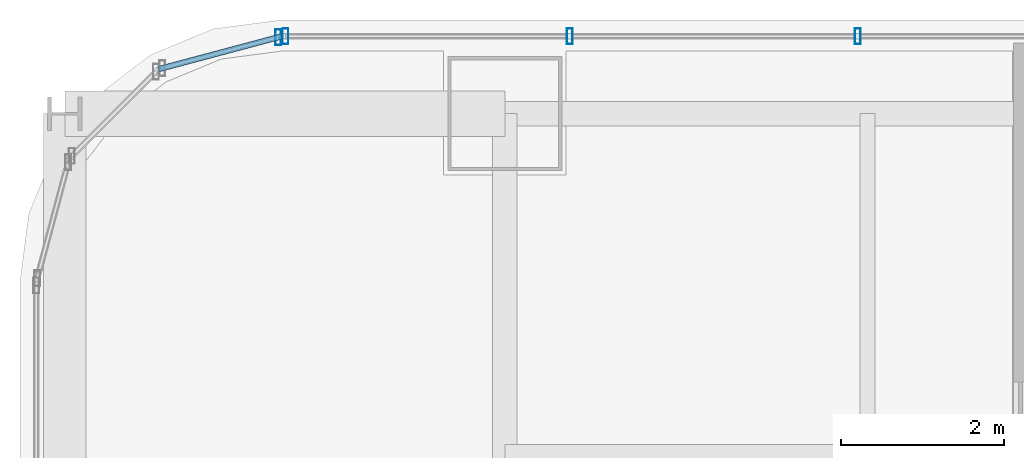
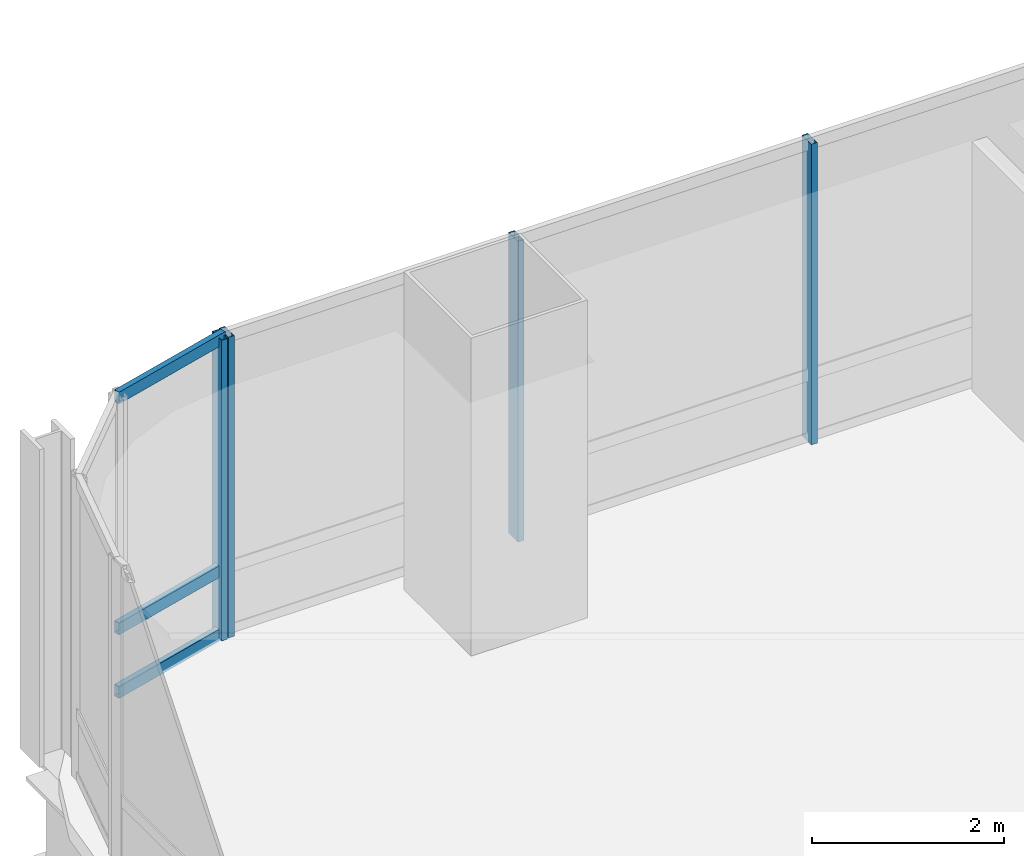
# One storey, part 20 of 36: 7 members, 2 elements without a shape of their own.
"""IFC4 building model written with IfcOpenShell, lengths in metres."""

from ifc_helpers import new_model, si_unit, direction, frame, origin, origin_2d, place, context, subcontext, project, spatial, hollow_rectangle, extrude, material, material_profile, profile_set, type_object, element, aggregate, save


model = new_model("IFC4")

# Units and contexts
model_context = context("Model", 3, precision=1e-05, world=origin(), true_north=direction((0.0, 1.0)))
body_context = subcontext(model_context, "Body", "Model", "MODEL_VIEW")
ifc_project = project(units=[si_unit("LENGTHUNIT", "METRE"), si_unit("AREAUNIT", "SQUARE_METRE"), si_unit("VOLUMEUNIT", "CUBIC_METRE"), si_unit("PLANEANGLEUNIT", "RADIAN"), si_unit("MASSUNIT", "GRAM", prefix="KILO")], contexts=[model_context])

# Site, building, storey
site_placement = place(None, origin())
site = spatial("IfcSite", under=ifc_project, at=site_placement, CompositionType="ELEMENT")
building_placement = place(site_placement, origin())
building = spatial("IfcBuilding", under=site, at=building_placement, Name="Punatoya Terracotta Tower", CompositionType="ELEMENT")
storey_placement = place(building_placement, frame((0.0, 0.0, 180.300048828125)))
storey = spatial("IfcBuildingStorey", under=building, at=storey_placement, Name="L42", CompositionType="ELEMENT", Elevation=180.300048828125)

# Curtain wall, members
ifc_material_1 = material(Name="Aluminium 6063-T6 + Double Low-E Glass", Category="aluminium")
curtain_wall_type = type_object("IfcCurtainWallType", Name="CW-M2", PredefinedType="NOTDEFINED", material=ifc_material_1)
curtain_wall_1_placement = place(storey_placement, origin())
curtain_wall_1 = element("IfcCurtainWall", 1, at=curtain_wall_1_placement, inside=storey, type_object=curtain_wall_type, Name="L42 Curtain Wall CW-L42-N09-1", PredefinedType="NOTDEFINED")
ifc_material_2 = material(Name="Aluminium 6063-T6", Category="aluminium")
ifc_material_profile_1 = material_profile(ifc_material_2, hollow_rectangle(XDim=0.072021484375, YDim=0.195068359375, WallThickness=0.00439453125, at=origin_2d()))
ifc_profile_set_1 = profile_set([ifc_material_profile_1], Name="Aluminium 6063-T6")
member_type_1 = type_object("IfcMemberType", Name="CW-MUL-M2", PredefinedType="MULLION", material=ifc_profile_set_1)
member_1_placement = place(storey_placement, frame((-14.768798828125, 18.449951171875, 0.0), z_axis=(0.0, 0.0, 1.0), x_axis=(1.0, 0.0, 0.0)))
member_1 = element("IfcMember", 2, at=member_1_placement, type_object=member_type_1, Name="CW-L42-N09-1 Mullion 09", PredefinedType="MULLION", context=body_context, shape_type="SweptSolid", body=[
    extrude(hollow_rectangle(XDim=0.072021484375, YDim=0.195068359375, WallThickness=0.00439453125, at=origin_2d()), origin(), (0.0, 0.0, 1.0), 3.829833984375),
])
member_2_placement = place(storey_placement, frame((-18.302978515625, 18.449951171875, 0.0), z_axis=(0.0, 0.0, 1.0), x_axis=(1.0, 0.0, 0.0)))
member_2 = element("IfcMember", 3, at=member_2_placement, type_object=member_type_1, Name="CW-L42-N09-1 Mullion 10", PredefinedType="MULLION", context=body_context, shape_type="SweptSolid", body=[
    extrude(hollow_rectangle(XDim=0.072021484375, YDim=0.195068359375, WallThickness=0.00439453125, at=origin_2d()), origin(), (0.0, 0.0, 1.0), 3.829833984375),
])
member_3_placement = place(storey_placement, frame((-21.7919921875, 18.449951171875, 0.0), z_axis=(0.0, 0.0, 1.0), x_axis=(1.0, 0.0, 0.0)))
member_3 = element("IfcMember", 4, at=member_3_placement, type_object=member_type_1, Name="CW-L42-N09-1 Mullion 11", PredefinedType="MULLION", context=body_context, shape_type="SweptSolid", body=[
    extrude(hollow_rectangle(XDim=0.072021484375, YDim=0.195068359375, WallThickness=0.00439453125, at=origin_2d()), origin(), (0.0, 0.0, 1.0), 3.829833984375),
])
aggregate(curtain_wall_1, [member_1, member_2, member_3])

curtain_wall_2_placement = place(storey_placement, origin())
curtain_wall_2 = element("IfcCurtainWall", 5, at=curtain_wall_2_placement, inside=storey, type_object=curtain_wall_type, Name="L42 Curtain Wall CW-L42-CRN10", PredefinedType="NOTDEFINED")
member_4_placement = place(storey_placement, frame((-21.88037109375, 18.4384765625, 0.0), z_axis=(0.0, 0.0, 1.0), x_axis=(1.0, 0.0, 0.0)))
member_4 = element("IfcMember", 6, at=member_4_placement, type_object=member_type_1, Name="CW-L42-CRN10 Mullion 00", PredefinedType="MULLION", context=body_context, shape_type="SweptSolid", body=[
    extrude(hollow_rectangle(XDim=0.072021484375, YDim=0.195068359375, WallThickness=0.00439453125, at=origin_2d()), origin(), (0.0, 0.0, 1.0), 3.829833984375),
])
ifc_material_profile_2 = material_profile(ifc_material_2, hollow_rectangle(XDim=0.068115234375, YDim=0.14990234375, WallThickness=0.00390625, at=origin_2d()))
ifc_profile_set_2 = profile_set([ifc_material_profile_2], Name="Aluminium 6063-T6")
member_type_2 = type_object("IfcMemberType", Name="CW-TRN-TYP", PredefinedType="USERDEFINED", material=ifc_profile_set_2)
member_5_placement = place(storey_placement, frame((-21.8369140625, 18.449951171875, 0.0400390625), z_axis=(-0.966224582397, -0.257701486942, 0.0), x_axis=(0.257701486942, -0.966224582397, 0.0)))
member_5 = element("IfcMember", 7, at=member_5_placement, type_object=member_type_2, Name="CW-L42-CRN10 Transom 1", ObjectType="TRANSOM", PredefinedType="USERDEFINED", context=body_context, shape_type="SweptSolid", body=[
    extrude(hollow_rectangle(XDim=0.068115234375, YDim=0.14990234375, WallThickness=0.00390625, at=origin_2d()), origin(), (0.0, 0.0, 1.0), 1.565185546875),
])
member_6_placement = place(storey_placement, frame((-21.8369140625, 18.449951171875, 0.849853515625), z_axis=(-0.966224582397, -0.257701486942, 0.0), x_axis=(0.257701486942, -0.966224582397, 0.0)))
member_6 = element("IfcMember", 8, at=member_6_placement, type_object=member_type_2, Name="CW-L42-CRN10 Transom 2", ObjectType="TRANSOM", PredefinedType="USERDEFINED", context=body_context, shape_type="SweptSolid", body=[
    extrude(hollow_rectangle(XDim=0.068115234375, YDim=0.14990234375, WallThickness=0.00390625, at=origin_2d()), origin(), (0.0, 0.0, 1.0), 1.565185546875),
])
member_7_placement = place(storey_placement, frame((-21.8369140625, 18.449951171875, 3.7900390625), z_axis=(-0.966224582397, -0.257701486942, 0.0), x_axis=(0.257701486942, -0.966224582397, 0.0)))
member_7 = element("IfcMember", 9, at=member_7_placement, type_object=member_type_2, Name="CW-L42-CRN10 Transom 3", ObjectType="TRANSOM", PredefinedType="USERDEFINED", context=body_context, shape_type="SweptSolid", body=[
    extrude(hollow_rectangle(XDim=0.068115234375, YDim=0.14990234375, WallThickness=0.00390625, at=origin_2d()), origin(), (0.0, 0.0, 1.0), 1.565185546875),
])
aggregate(curtain_wall_2, [member_4, member_5, member_6, member_7])

save(model, "model.ifc")
